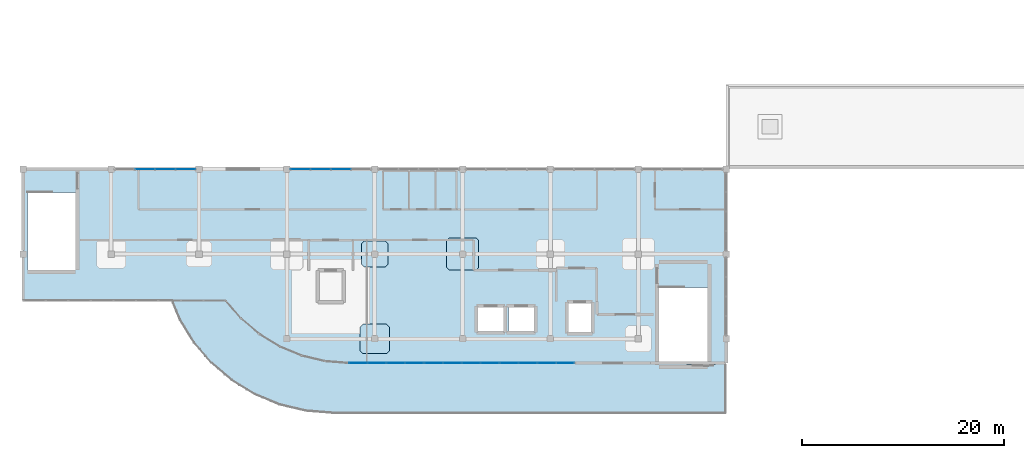
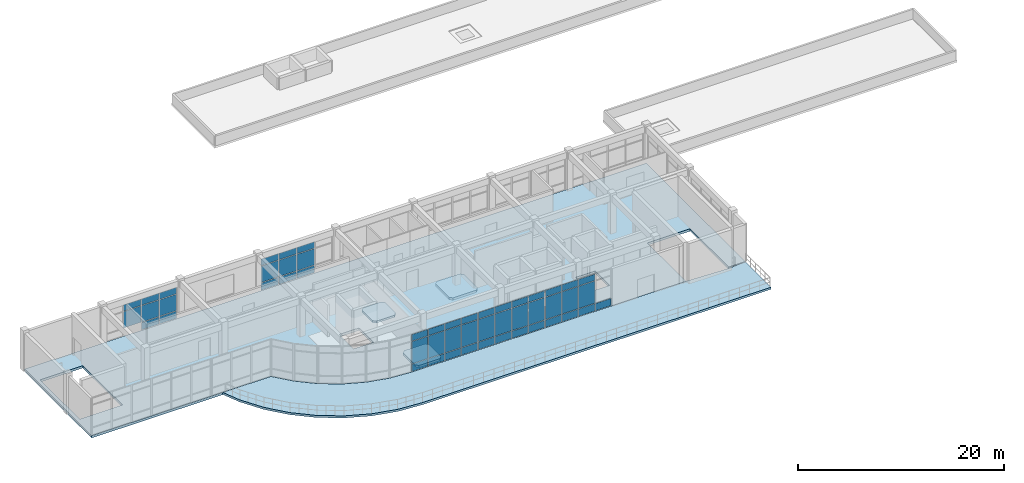
# One storey, part 32 of 41: 51 plates, 5 slabs, 5 elements without a shape of their own.
"""IFC4 building model written with IfcOpenShell, lengths in metres."""

from ifc_helpers import new_model, si_unit, derived_unit, direction, frame, origin, origin_2d, place, context, subcontext, project, spatial, polyline, rectangle, outline, extrude, material, layer, layer_set, type_object, element, aggregate, save


model = new_model("IFC4")

# Units and contexts
model_context = context("Model", 3, precision=1e-05, world=origin(), true_north=direction((0.0, 1.0)))
body_context = subcontext(model_context, "Body", "Model", "MODEL_VIEW")
ifc_project = project(units=[si_unit("LENGTHUNIT", "METRE"), si_unit("AREAUNIT", "SQUARE_METRE"), si_unit("VOLUMEUNIT", "CUBIC_METRE"), si_unit("PLANEANGLEUNIT", "RADIAN"), si_unit("MASSUNIT", "GRAM", prefix="KILO"), derived_unit("THERMALTRANSMITTANCEUNIT", [(si_unit("MASSUNIT", "GRAM", prefix="KILO"), 1), (si_unit("TIMEUNIT", "SECOND"), -3), (si_unit("THERMODYNAMICTEMPERATUREUNIT", "KELVIN"), -1)])], contexts=[model_context])

# Site, building, storey
site_placement = place(None, origin())
site = spatial("IfcSite", under=ifc_project, at=site_placement, CompositionType="ELEMENT")
building_placement = place(site_placement, origin())
building = spatial("IfcBuilding", under=site, at=building_placement, Name="Qinzheling Arcade Emporium", CompositionType="ELEMENT")
storey_placement = place(building_placement, frame((0.0, 0.0, 36.300048828125)))
storey = spatial("IfcBuildingStorey", under=building, at=storey_placement, Name="L08", CompositionType="ELEMENT", Elevation=36.300048828125)

# Slabs
ifc_material_1 = material(Name="Concrete C40", Category="concrete")
ifc_layer_1 = layer(ifc_material_1, 0.235107421875, Name="Concrete C40", Category="concrete")
ifc_layer_set_1 = layer_set([ifc_layer_1], Name="Concrete C40")
slab_type_1 = type_object("IfcSlabType", Name="Column Head Drop Panel 2600x2600x235 C40", PredefinedType="USERDEFINED", material=ifc_layer_set_1)
slab_1_placement = place(storey_placement, frame((0.0, 0.0, -0.51513671875)))
element("IfcSlab", 1, at=slab_1_placement, inside=storey, type_object=slab_type_1, Name="Column Drop Panel DP-L08-5-E", ObjectType="DROP_PANEL", PredefinedType="USERDEFINED", context=body_context, shape_type="SweptSolid", body=[
    extrude(outline(polyline([(33.780029296875, 32.300048828125), (35.820068359375, 32.300048828125), (36.10009765625, 32.580078125), (36.10009765625, 34.6201171875), (35.820068359375, 34.89990234375), (33.780029296875, 34.89990234375), (33.5, 34.6201171875), (33.5, 32.580078125), (33.780029296875, 32.300048828125)])), origin(), (0.0, 0.0, 1.0), 0.235107421875),
])
ifc_layer_2 = layer(ifc_material_1, 0.27001953125, Name="Concrete C40", Category="concrete")
ifc_layer_set_2 = layer_set([ifc_layer_2], Name="Concrete C40")
slab_type_2 = type_object("IfcSlabType", Name="Column Head Drop Panel 2900x2900x270 C40", PredefinedType="USERDEFINED", material=ifc_layer_set_2)
slab_2_placement = place(storey_placement, frame((0.0, 0.0, -0.550048828125)))
element("IfcSlab", 2, at=slab_2_placement, inside=storey, type_object=slab_type_2, Name="Column Drop Panel DP-L08-5-D", ObjectType="DROP_PANEL", PredefinedType="USERDEFINED", context=body_context, shape_type="SweptSolid", body=[
    extrude(outline(polyline([(33.6298828125, 23.75), (35.969970703125, 23.75), (36.25, 24.030029296875), (36.25, 26.3701171875), (35.969970703125, 26.64990234375), (33.6298828125, 26.64990234375), (33.35009765625, 26.3701171875), (33.35009765625, 24.030029296875), (33.6298828125, 23.75)])), origin(), (0.0, 0.0, 1.0), 0.27001953125),
])
ifc_layer_3 = layer(ifc_material_1, 0.300048828125, Name="Concrete C40", Category="concrete")
ifc_layer_set_3 = layer_set([ifc_layer_3], Name="Concrete C40")
slab_type_3 = type_object("IfcSlabType", Name="Column Head Drop Panel 3200x3200x300 C40", PredefinedType="USERDEFINED", material=ifc_layer_set_3)
slab_3_placement = place(storey_placement, frame((0.0, 0.0, -0.580078125)))
element("IfcSlab", 3, at=slab_3_placement, inside=storey, type_object=slab_type_3, Name="Column Drop Panel DP-L08-6-E", ObjectType="DROP_PANEL", PredefinedType="USERDEFINED", context=body_context, shape_type="SweptSolid", body=[
    extrude(outline(polyline([(42.179931640625, 32.0), (44.820068359375, 32.0), (45.10009765625, 32.280029296875), (45.10009765625, 34.919921875), (44.820068359375, 35.199951171875), (42.179931640625, 35.199951171875), (41.89990234375, 34.919921875), (41.89990234375, 32.280029296875), (42.179931640625, 32.0)])), origin(), (0.0, 0.0, 1.0), 0.300048828125),
])

# Curtain wall, plates
ifc_material_2 = material(Name="Anodised aluminium and solar-control double glazing", Category="aluminium")
ifc_layer_4 = layer(ifc_material_2, 0.159912109375, Name="Anodised aluminium and solar-control double glazing", Category="aluminium")
ifc_layer_set_4 = layer_set([ifc_layer_4], Name="Anodised aluminium and solar-control double glazing")
curtain_wall_type_1 = type_object("IfcCurtainWallType", Name="Atrium Clerestory Curtain Wall", PredefinedType="NOTDEFINED", material=ifc_layer_set_4)
curtain_wall_1_placement = place(storey_placement, origin())
curtain_wall_1 = element("IfcCurtainWall", 4, at=curtain_wall_1_placement, inside=storey, type_object=curtain_wall_type_1, Name="Curtain Wall CW-L08-462", PredefinedType="NOTDEFINED")
ifc_material_3 = material(Name="Laminated solar-control double glazing", Category="glass")
ifc_layer_5 = layer(ifc_material_3, 0.027099609375, Name="Laminated solar-control double glazing", Category="glass")
ifc_layer_set_5 = layer_set([ifc_layer_5], Name="Laminated solar-control double glazing")
plate_type_1 = type_object("IfcPlateType", Name="Low-E Double Glazed Curtain Panel 27mm", PredefinedType="CURTAIN_PANEL", material=ifc_layer_set_5)
plate_1_placement = place(storey_placement, frame((12.044189453125, 42.0, 0.97998046875), z_axis=(0.0, 0.0, 1.0), x_axis=(1.0, 0.0, 0.0)))
plate_1 = element("IfcPlate", 5, at=plate_1_placement, type_object=plate_type_1, Name="CW03 panel 2.2", PredefinedType="CURTAIN_PANEL", context=body_context, shape_type="SweptSolid", body=[
    extrude(rectangle(XDim=1.951416015625, YDim=0.027099609375, at=origin_2d()), origin(), (0.0, 0.0, 1.0), 1.93505859375),
])
plate_2_placement = place(storey_placement, frame((12.044189453125, 42.0, 2.97509765625), z_axis=(0.0, 0.0, 1.0), x_axis=(1.0, 0.0, 0.0)))
plate_2 = element("IfcPlate", 6, at=plate_2_placement, type_object=plate_type_1, Name="CW03 panel 2.3", PredefinedType="CURTAIN_PANEL", context=body_context, shape_type="SweptSolid", body=[
    extrude(rectangle(XDim=1.951416015625, YDim=0.027099609375, at=origin_2d()), origin(), (0.0, 0.0, 1.0), 0.760009765625),
])
plate_3_placement = place(storey_placement, frame((14.0556640625, 42.0, 0.06005859375), z_axis=(0.0, 0.0, 1.0), x_axis=(1.0, 0.0, 0.0)))
plate_3 = element("IfcPlate", 7, at=plate_3_placement, type_object=plate_type_1, Name="CW03 panel 3.1", PredefinedType="CURTAIN_PANEL", context=body_context, shape_type="SweptSolid", body=[
    extrude(rectangle(XDim=1.951416015625, YDim=0.027099609375, at=origin_2d()), origin(), (0.0, 0.0, 1.0), 0.860107421875),
])
plate_4_placement = place(storey_placement, frame((14.0556640625, 42.0, 0.97998046875), z_axis=(0.0, 0.0, 1.0), x_axis=(1.0, 0.0, 0.0)))
plate_4 = element("IfcPlate", 8, at=plate_4_placement, type_object=plate_type_1, Name="CW03 panel 3.2", PredefinedType="CURTAIN_PANEL", context=body_context, shape_type="SweptSolid", body=[
    extrude(rectangle(XDim=1.951416015625, YDim=0.027099609375, at=origin_2d()), origin(), (0.0, 0.0, 1.0), 1.93505859375),
])
plate_5_placement = place(storey_placement, frame((14.0556640625, 42.0, 2.97509765625), z_axis=(0.0, 0.0, 1.0), x_axis=(1.0, 0.0, 0.0)))
plate_5 = element("IfcPlate", 9, at=plate_5_placement, type_object=plate_type_1, Name="CW03 panel 3.3", PredefinedType="CURTAIN_PANEL", context=body_context, shape_type="SweptSolid", body=[
    extrude(rectangle(XDim=1.951416015625, YDim=0.027099609375, at=origin_2d()), origin(), (0.0, 0.0, 1.0), 0.760009765625),
])
plate_6_placement = place(storey_placement, frame((16.05224609375, 42.0, 0.06005859375), z_axis=(0.0, 0.0, 1.0), x_axis=(1.0, 0.0, 0.0)))
plate_6 = element("IfcPlate", 10, at=plate_6_placement, type_object=plate_type_1, Name="CW03 panel 4.1", PredefinedType="CURTAIN_PANEL", context=body_context, shape_type="SweptSolid", body=[
    extrude(rectangle(XDim=1.92138671875, YDim=0.027099609375, at=origin_2d()), origin(), (0.0, 0.0, 1.0), 0.860107421875),
])
plate_7_placement = place(storey_placement, frame((16.05224609375, 42.0, 0.97998046875), z_axis=(0.0, 0.0, 1.0), x_axis=(1.0, 0.0, 0.0)))
plate_7 = element("IfcPlate", 11, at=plate_7_placement, type_object=plate_type_1, Name="CW03 panel 4.2", PredefinedType="CURTAIN_PANEL", context=body_context, shape_type="SweptSolid", body=[
    extrude(rectangle(XDim=1.92138671875, YDim=0.027099609375, at=origin_2d()), origin(), (0.0, 0.0, 1.0), 1.93505859375),
])
plate_8_placement = place(storey_placement, frame((16.05224609375, 42.0, 2.97509765625), z_axis=(0.0, 0.0, 1.0), x_axis=(1.0, 0.0, 0.0)))
plate_8 = element("IfcPlate", 12, at=plate_8_placement, type_object=plate_type_1, Name="CW03 panel 4.3", PredefinedType="CURTAIN_PANEL", context=body_context, shape_type="SweptSolid", body=[
    extrude(rectangle(XDim=1.92138671875, YDim=0.027099609375, at=origin_2d()), origin(), (0.0, 0.0, 1.0), 0.760009765625),
])
aggregate(curtain_wall_1, [plate_1, plate_2, plate_3, plate_4, plate_5, plate_6, plate_7, plate_8])

curtain_wall_2_placement = place(storey_placement, origin())
curtain_wall_2 = element("IfcCurtainWall", 13, at=curtain_wall_2_placement, inside=storey, type_object=curtain_wall_type_1, Name="Curtain Wall CW-L08-463", PredefinedType="NOTDEFINED")
ifc_layer_6 = layer(ifc_material_3, 0.028076171875, Name="Laminated solar-control double glazing", Category="glass")
ifc_layer_set_6 = layer_set([ifc_layer_6], Name="Laminated solar-control double glazing")
plate_type_2 = type_object("IfcPlateType", Name="Low-E Double Glazed Curtain Panel 28mm", PredefinedType="CURTAIN_PANEL", material=ifc_layer_set_6)
plate_9_placement = place(storey_placement, frame((27.44775390625, 42.0, 0.06005859375), z_axis=(0.0, 0.0, 1.0), x_axis=(1.0, 0.0, 0.0)))
plate_9 = element("IfcPlate", 14, at=plate_9_placement, type_object=plate_type_2, Name="CW03 panel 1.1", PredefinedType="CURTAIN_PANEL", context=body_context, shape_type="SweptSolid", body=[
    extrude(rectangle(XDim=1.92138671875, YDim=0.028076171875, at=origin_2d()), origin(), (0.0, 0.0, 1.0), 0.860107421875),
])
plate_10_placement = place(storey_placement, frame((27.44775390625, 42.0, 0.97998046875), z_axis=(0.0, 0.0, 1.0), x_axis=(1.0, 0.0, 0.0)))
plate_10 = element("IfcPlate", 15, at=plate_10_placement, type_object=plate_type_2, Name="CW03 panel 1.2", PredefinedType="CURTAIN_PANEL", context=body_context, shape_type="SweptSolid", body=[
    extrude(rectangle(XDim=1.92138671875, YDim=0.028076171875, at=origin_2d()), origin(), (0.0, 0.0, 1.0), 1.93505859375),
])
plate_11_placement = place(storey_placement, frame((27.44775390625, 42.0, 2.97509765625), z_axis=(0.0, 0.0, 1.0), x_axis=(1.0, 0.0, 0.0)))
plate_11 = element("IfcPlate", 16, at=plate_11_placement, type_object=plate_type_2, Name="CW03 panel 1.3", PredefinedType="CURTAIN_PANEL", context=body_context, shape_type="SweptSolid", body=[
    extrude(rectangle(XDim=1.92138671875, YDim=0.028076171875, at=origin_2d()), origin(), (0.0, 0.0, 1.0), 0.760009765625),
])
plate_12_placement = place(storey_placement, frame((29.4443359375, 42.0, 0.06005859375), z_axis=(0.0, 0.0, 1.0), x_axis=(1.0, 0.0, 0.0)))
plate_12 = element("IfcPlate", 17, at=plate_12_placement, type_object=plate_type_2, Name="CW03 panel 2.1", PredefinedType="CURTAIN_PANEL", context=body_context, shape_type="SweptSolid", body=[
    extrude(rectangle(XDim=1.951416015625, YDim=0.028076171875, at=origin_2d()), origin(), (0.0, 0.0, 1.0), 0.860107421875),
])
plate_13_placement = place(storey_placement, frame((29.4443359375, 42.0, 0.97998046875), z_axis=(0.0, 0.0, 1.0), x_axis=(1.0, 0.0, 0.0)))
plate_13 = element("IfcPlate", 18, at=plate_13_placement, type_object=plate_type_2, Name="CW03 panel 2.2", PredefinedType="CURTAIN_PANEL", context=body_context, shape_type="SweptSolid", body=[
    extrude(rectangle(XDim=1.951416015625, YDim=0.028076171875, at=origin_2d()), origin(), (0.0, 0.0, 1.0), 1.93505859375),
])
plate_14_placement = place(storey_placement, frame((29.4443359375, 42.0, 2.97509765625), z_axis=(0.0, 0.0, 1.0), x_axis=(1.0, 0.0, 0.0)))
plate_14 = element("IfcPlate", 19, at=plate_14_placement, type_object=plate_type_2, Name="CW03 panel 2.3", PredefinedType="CURTAIN_PANEL", context=body_context, shape_type="SweptSolid", body=[
    extrude(rectangle(XDim=1.951416015625, YDim=0.028076171875, at=origin_2d()), origin(), (0.0, 0.0, 1.0), 0.760009765625),
])
plate_15_placement = place(storey_placement, frame((31.455810546875, 42.0, 0.06005859375), z_axis=(0.0, 0.0, 1.0), x_axis=(1.0, 0.0, 0.0)))
plate_15 = element("IfcPlate", 20, at=plate_15_placement, type_object=plate_type_2, Name="CW03 panel 3.1", PredefinedType="CURTAIN_PANEL", context=body_context, shape_type="SweptSolid", body=[
    extrude(rectangle(XDim=1.951416015625, YDim=0.028076171875, at=origin_2d()), origin(), (0.0, 0.0, 1.0), 0.860107421875),
])
plate_16_placement = place(storey_placement, frame((31.455810546875, 42.0, 0.97998046875), z_axis=(0.0, 0.0, 1.0), x_axis=(1.0, 0.0, 0.0)))
plate_16 = element("IfcPlate", 21, at=plate_16_placement, type_object=plate_type_2, Name="CW03 panel 3.2", PredefinedType="CURTAIN_PANEL", context=body_context, shape_type="SweptSolid", body=[
    extrude(rectangle(XDim=1.951416015625, YDim=0.028076171875, at=origin_2d()), origin(), (0.0, 0.0, 1.0), 1.93505859375),
])
plate_17_placement = place(storey_placement, frame((31.455810546875, 42.0, 2.97509765625), z_axis=(0.0, 0.0, 1.0), x_axis=(1.0, 0.0, 0.0)))
plate_17 = element("IfcPlate", 22, at=plate_17_placement, type_object=plate_type_2, Name="CW03 panel 3.3", PredefinedType="CURTAIN_PANEL", context=body_context, shape_type="SweptSolid", body=[
    extrude(rectangle(XDim=1.951416015625, YDim=0.028076171875, at=origin_2d()), origin(), (0.0, 0.0, 1.0), 0.760009765625),
])
aggregate(curtain_wall_2, [plate_9, plate_10, plate_11, plate_12, plate_13, plate_14, plate_15, plate_16, plate_17])

ifc_layer_7 = layer(ifc_material_2, 0.159912109375, Name="Anodised aluminium and solar-control double glazing", Category="aluminium")
ifc_layer_set_7 = layer_set([ifc_layer_7], Name="Anodised aluminium and solar-control double glazing")
curtain_wall_type_2 = type_object("IfcCurtainWallType", Name="Arcade Portal Glazed Curtain Wall", PredefinedType="NOTDEFINED", material=ifc_layer_set_7)
curtain_wall_3_placement = place(storey_placement, origin())
curtain_wall_3 = element("IfcCurtainWall", 23, at=curtain_wall_3_placement, inside=storey, type_object=curtain_wall_type_2, Name="Curtain Wall CW-L08-450", PredefinedType="NOTDEFINED")
ifc_layer_8 = layer(ifc_material_3, 0.031005859375, Name="Laminated solar-control double glazing", Category="glass")
ifc_layer_set_8 = layer_set([ifc_layer_8], Name="Laminated solar-control double glazing")
plate_type_3 = type_object("IfcPlateType", Name="Low-E Double Glazed Curtain Panel 31mm", PredefinedType="CURTAIN_PANEL", material=ifc_layer_set_8)
plate_18_placement = place(storey_placement, frame((53.6884765625, 22.800048828125, 0.06005859375), z_axis=(0.0, 0.0, 1.0), x_axis=(-1.0, 0.0, 0.0)))
plate_18 = element("IfcPlate", 24, at=plate_18_placement, type_object=plate_type_3, Name="CW05 panel 1.1", PredefinedType="CURTAIN_PANEL", context=body_context, shape_type="SweptSolid", body=[
    extrude(rectangle(XDim=1.779052734375, YDim=0.031005859375, at=origin_2d()), origin(), (0.0, 0.0, 1.0), 0.860107421875),
])
plate_19_placement = place(storey_placement, frame((51.83447265625, 22.800048828125, 0.06005859375), z_axis=(0.0, 0.0, 1.0), x_axis=(-1.0, 0.0, 0.0)))
plate_19 = element("IfcPlate", 25, at=plate_19_placement, type_object=plate_type_3, Name="CW05 panel 2.1", PredefinedType="CURTAIN_PANEL", context=body_context, shape_type="SweptSolid", body=[
    extrude(rectangle(XDim=1.80908203125, YDim=0.031005859375, at=origin_2d()), origin(), (0.0, 0.0, 1.0), 0.860107421875),
])
plate_20_placement = place(storey_placement, frame((51.83447265625, 22.800048828125, 0.97998046875), z_axis=(0.0, 0.0, 1.0), x_axis=(-1.0, 0.0, 0.0)))
plate_20 = element("IfcPlate", 26, at=plate_20_placement, type_object=plate_type_3, Name="CW05 panel 2.2", PredefinedType="CURTAIN_PANEL", context=body_context, shape_type="SweptSolid", body=[
    extrude(rectangle(XDim=1.80908203125, YDim=0.031005859375, at=origin_2d()), origin(), (0.0, 0.0, 1.0), 2.6298828125),
])
plate_21_placement = place(storey_placement, frame((51.83447265625, 22.800048828125, 3.669921875), z_axis=(0.0, 0.0, 1.0), x_axis=(-1.0, 0.0, 0.0)))
plate_21 = element("IfcPlate", 27, at=plate_21_placement, type_object=plate_type_3, Name="CW05 panel 2.3", PredefinedType="CURTAIN_PANEL", context=body_context, shape_type="SweptSolid", body=[
    extrude(rectangle(XDim=1.80908203125, YDim=0.031005859375, at=origin_2d()), origin(), (0.0, 0.0, 1.0), 0.760009765625),
])
plate_22_placement = place(storey_placement, frame((49.965576171875, 22.800048828125, 0.06005859375), z_axis=(0.0, 0.0, 1.0), x_axis=(-1.0, 0.0, 0.0)))
plate_22 = element("IfcPlate", 28, at=plate_22_placement, type_object=plate_type_3, Name="CW05 panel 3.1", PredefinedType="CURTAIN_PANEL", context=body_context, shape_type="SweptSolid", body=[
    extrude(rectangle(XDim=1.80908203125, YDim=0.031005859375, at=origin_2d()), origin(), (0.0, 0.0, 1.0), 0.860107421875),
])
plate_23_placement = place(storey_placement, frame((49.965576171875, 22.800048828125, 0.97998046875), z_axis=(0.0, 0.0, 1.0), x_axis=(-1.0, 0.0, 0.0)))
plate_23 = element("IfcPlate", 29, at=plate_23_placement, type_object=plate_type_3, Name="CW05 panel 3.2", PredefinedType="CURTAIN_PANEL", context=body_context, shape_type="SweptSolid", body=[
    extrude(rectangle(XDim=1.80908203125, YDim=0.031005859375, at=origin_2d()), origin(), (0.0, 0.0, 1.0), 2.6298828125),
])
plate_24_placement = place(storey_placement, frame((49.965576171875, 22.800048828125, 3.669921875), z_axis=(0.0, 0.0, 1.0), x_axis=(-1.0, 0.0, 0.0)))
plate_24 = element("IfcPlate", 30, at=plate_24_placement, type_object=plate_type_3, Name="CW05 panel 3.3", PredefinedType="CURTAIN_PANEL", context=body_context, shape_type="SweptSolid", body=[
    extrude(rectangle(XDim=1.80908203125, YDim=0.031005859375, at=origin_2d()), origin(), (0.0, 0.0, 1.0), 0.760009765625),
])
plate_25_placement = place(storey_placement, frame((48.111572265625, 22.800048828125, 0.06005859375), z_axis=(0.0, 0.0, 1.0), x_axis=(-1.0, 0.0, 0.0)))
plate_25 = element("IfcPlate", 31, at=plate_25_placement, type_object=plate_type_3, Name="CW05 panel 4.1", PredefinedType="CURTAIN_PANEL", context=body_context, shape_type="SweptSolid", body=[
    extrude(rectangle(XDim=1.779052734375, YDim=0.031005859375, at=origin_2d()), origin(), (0.0, 0.0, 1.0), 0.860107421875),
])
plate_26_placement = place(storey_placement, frame((48.111572265625, 22.800048828125, 0.97998046875), z_axis=(0.0, 0.0, 1.0), x_axis=(-1.0, 0.0, 0.0)))
plate_26 = element("IfcPlate", 32, at=plate_26_placement, type_object=plate_type_3, Name="CW05 panel 4.2", PredefinedType="CURTAIN_PANEL", context=body_context, shape_type="SweptSolid", body=[
    extrude(rectangle(XDim=1.779052734375, YDim=0.031005859375, at=origin_2d()), origin(), (0.0, 0.0, 1.0), 2.6298828125),
])
plate_27_placement = place(storey_placement, frame((48.111572265625, 22.800048828125, 3.669921875), z_axis=(0.0, 0.0, 1.0), x_axis=(-1.0, 0.0, 0.0)))
plate_27 = element("IfcPlate", 33, at=plate_27_placement, type_object=plate_type_3, Name="CW05 panel 4.3", PredefinedType="CURTAIN_PANEL", context=body_context, shape_type="SweptSolid", body=[
    extrude(rectangle(XDim=1.779052734375, YDim=0.031005859375, at=origin_2d()), origin(), (0.0, 0.0, 1.0), 0.760009765625),
])
aggregate(curtain_wall_3, [plate_18, plate_19, plate_20, plate_21, plate_22, plate_23, plate_24, plate_25, plate_26, plate_27])

curtain_wall_4_placement = place(storey_placement, origin())
curtain_wall_4 = element("IfcCurtainWall", 34, at=curtain_wall_4_placement, inside=storey, type_object=curtain_wall_type_2, Name="Curtain Wall CW-L08-451", PredefinedType="NOTDEFINED")
ifc_layer_9 = layer(ifc_material_3, 0.031982421875, Name="Laminated solar-control double glazing", Category="glass")
ifc_layer_set_9 = layer_set([ifc_layer_9], Name="Laminated solar-control double glazing")
plate_type_4 = type_object("IfcPlateType", Name="Low-E Double Glazed Curtain Panel 32mm", PredefinedType="CURTAIN_PANEL", material=ifc_layer_set_9)
plate_28_placement = place(storey_placement, frame((46.20849609375, 22.800048828125, 0.06005859375), z_axis=(0.0, 0.0, 1.0), x_axis=(-1.0, 0.0, 0.0)))
plate_28 = element("IfcPlate", 35, at=plate_28_placement, type_object=plate_type_4, Name="CW05 panel 1.1", PredefinedType="CURTAIN_PANEL", context=body_context, shape_type="SweptSolid", body=[
    extrude(rectangle(XDim=1.779052734375, YDim=0.031982421875, at=origin_2d()), origin(), (0.0, 0.0, 1.0), 0.860107421875),
])
plate_29_placement = place(storey_placement, frame((46.20849609375, 22.800048828125, 0.97998046875), z_axis=(0.0, 0.0, 1.0), x_axis=(-1.0, 0.0, 0.0)))
plate_29 = element("IfcPlate", 36, at=plate_29_placement, type_object=plate_type_4, Name="CW05 panel 1.2", PredefinedType="CURTAIN_PANEL", context=body_context, shape_type="SweptSolid", body=[
    extrude(rectangle(XDim=1.779052734375, YDim=0.031982421875, at=origin_2d()), origin(), (0.0, 0.0, 1.0), 2.6298828125),
])
plate_30_placement = place(storey_placement, frame((46.20849609375, 22.800048828125, 3.669921875), z_axis=(0.0, 0.0, 1.0), x_axis=(-1.0, 0.0, 0.0)))
plate_30 = element("IfcPlate", 37, at=plate_30_placement, type_object=plate_type_4, Name="CW05 panel 1.3", PredefinedType="CURTAIN_PANEL", context=body_context, shape_type="SweptSolid", body=[
    extrude(rectangle(XDim=1.779052734375, YDim=0.031982421875, at=origin_2d()), origin(), (0.0, 0.0, 1.0), 0.760009765625),
])
plate_31_placement = place(storey_placement, frame((44.3544921875, 22.800048828125, 0.06005859375), z_axis=(0.0, 0.0, 1.0), x_axis=(-1.0, 0.0, 0.0)))
plate_31 = element("IfcPlate", 38, at=plate_31_placement, type_object=plate_type_4, Name="CW05 panel 2.1", PredefinedType="CURTAIN_PANEL", context=body_context, shape_type="SweptSolid", body=[
    extrude(rectangle(XDim=1.80908203125, YDim=0.031982421875, at=origin_2d()), origin(), (0.0, 0.0, 1.0), 0.860107421875),
])
plate_32_placement = place(storey_placement, frame((44.3544921875, 22.800048828125, 0.97998046875), z_axis=(0.0, 0.0, 1.0), x_axis=(-1.0, 0.0, 0.0)))
plate_32 = element("IfcPlate", 39, at=plate_32_placement, type_object=plate_type_4, Name="CW05 panel 2.2", PredefinedType="CURTAIN_PANEL", context=body_context, shape_type="SweptSolid", body=[
    extrude(rectangle(XDim=1.80908203125, YDim=0.031982421875, at=origin_2d()), origin(), (0.0, 0.0, 1.0), 2.6298828125),
])
plate_33_placement = place(storey_placement, frame((44.3544921875, 22.800048828125, 3.669921875), z_axis=(0.0, 0.0, 1.0), x_axis=(-1.0, 0.0, 0.0)))
plate_33 = element("IfcPlate", 40, at=plate_33_placement, type_object=plate_type_4, Name="CW05 panel 2.3", PredefinedType="CURTAIN_PANEL", context=body_context, shape_type="SweptSolid", body=[
    extrude(rectangle(XDim=1.80908203125, YDim=0.031982421875, at=origin_2d()), origin(), (0.0, 0.0, 1.0), 0.760009765625),
])
plate_34_placement = place(storey_placement, frame((42.485595703125, 22.800048828125, 0.06005859375), z_axis=(0.0, 0.0, 1.0), x_axis=(-1.0, 0.0, 0.0)))
plate_34 = element("IfcPlate", 41, at=plate_34_placement, type_object=plate_type_4, Name="CW05 panel 3.1", PredefinedType="CURTAIN_PANEL", context=body_context, shape_type="SweptSolid", body=[
    extrude(rectangle(XDim=1.80908203125, YDim=0.031982421875, at=origin_2d()), origin(), (0.0, 0.0, 1.0), 0.860107421875),
])
plate_35_placement = place(storey_placement, frame((42.485595703125, 22.800048828125, 0.97998046875), z_axis=(0.0, 0.0, 1.0), x_axis=(-1.0, 0.0, 0.0)))
plate_35 = element("IfcPlate", 42, at=plate_35_placement, type_object=plate_type_4, Name="CW05 panel 3.2", PredefinedType="CURTAIN_PANEL", context=body_context, shape_type="SweptSolid", body=[
    extrude(rectangle(XDim=1.80908203125, YDim=0.031982421875, at=origin_2d()), origin(), (0.0, 0.0, 1.0), 2.6298828125),
])
plate_36_placement = place(storey_placement, frame((42.485595703125, 22.800048828125, 3.669921875), z_axis=(0.0, 0.0, 1.0), x_axis=(-1.0, 0.0, 0.0)))
plate_36 = element("IfcPlate", 43, at=plate_36_placement, type_object=plate_type_4, Name="CW05 panel 3.3", PredefinedType="CURTAIN_PANEL", context=body_context, shape_type="SweptSolid", body=[
    extrude(rectangle(XDim=1.80908203125, YDim=0.031982421875, at=origin_2d()), origin(), (0.0, 0.0, 1.0), 0.760009765625),
])
plate_37_placement = place(storey_placement, frame((40.631591796875, 22.800048828125, 0.06005859375), z_axis=(0.0, 0.0, 1.0), x_axis=(-1.0, 0.0, 0.0)))
plate_37 = element("IfcPlate", 44, at=plate_37_placement, type_object=plate_type_4, Name="CW05 panel 4.1", PredefinedType="CURTAIN_PANEL", context=body_context, shape_type="SweptSolid", body=[
    extrude(rectangle(XDim=1.779052734375, YDim=0.031982421875, at=origin_2d()), origin(), (0.0, 0.0, 1.0), 0.860107421875),
])
plate_38_placement = place(storey_placement, frame((40.631591796875, 22.800048828125, 0.97998046875), z_axis=(0.0, 0.0, 1.0), x_axis=(-1.0, 0.0, 0.0)))
plate_38 = element("IfcPlate", 45, at=plate_38_placement, type_object=plate_type_4, Name="CW05 panel 4.2", PredefinedType="CURTAIN_PANEL", context=body_context, shape_type="SweptSolid", body=[
    extrude(rectangle(XDim=1.779052734375, YDim=0.031982421875, at=origin_2d()), origin(), (0.0, 0.0, 1.0), 2.6298828125),
])
plate_39_placement = place(storey_placement, frame((40.631591796875, 22.800048828125, 3.669921875), z_axis=(0.0, 0.0, 1.0), x_axis=(-1.0, 0.0, 0.0)))
plate_39 = element("IfcPlate", 46, at=plate_39_placement, type_object=plate_type_4, Name="CW05 panel 4.3", PredefinedType="CURTAIN_PANEL", context=body_context, shape_type="SweptSolid", body=[
    extrude(rectangle(XDim=1.779052734375, YDim=0.031982421875, at=origin_2d()), origin(), (0.0, 0.0, 1.0), 0.760009765625),
])
aggregate(curtain_wall_4, [plate_28, plate_29, plate_30, plate_31, plate_32, plate_33, plate_34, plate_35, plate_36, plate_37, plate_38, plate_39])

curtain_wall_5_placement = place(storey_placement, origin())
curtain_wall_5 = element("IfcCurtainWall", 47, at=curtain_wall_5_placement, inside=storey, type_object=curtain_wall_type_2, Name="Curtain Wall CW-L08-452", PredefinedType="NOTDEFINED")
ifc_layer_10 = layer(ifc_material_3, 0.033935546875, Name="Laminated solar-control double glazing", Category="glass")
ifc_layer_set_10 = layer_set([ifc_layer_10], Name="Laminated solar-control double glazing")
plate_type_5 = type_object("IfcPlateType", Name="Low-E Double Glazed Curtain Panel 34mm", PredefinedType="CURTAIN_PANEL", material=ifc_layer_set_10)
plate_40_placement = place(storey_placement, frame((38.728271484375, 22.800048828125, 0.06005859375), z_axis=(0.0, 0.0, 1.0), x_axis=(-1.0, 0.0, 0.0)))
plate_40 = element("IfcPlate", 48, at=plate_40_placement, type_object=plate_type_5, Name="CW05 panel 1.1", PredefinedType="CURTAIN_PANEL", context=body_context, shape_type="SweptSolid", body=[
    extrude(rectangle(XDim=1.779541015625, YDim=0.033935546875, at=origin_2d()), origin(), (0.0, 0.0, 1.0), 0.860107421875),
])
plate_41_placement = place(storey_placement, frame((38.728271484375, 22.800048828125, 0.97998046875), z_axis=(0.0, 0.0, 1.0), x_axis=(-1.0, 0.0, 0.0)))
plate_41 = element("IfcPlate", 49, at=plate_41_placement, type_object=plate_type_5, Name="CW05 panel 1.2", PredefinedType="CURTAIN_PANEL", context=body_context, shape_type="SweptSolid", body=[
    extrude(rectangle(XDim=1.779541015625, YDim=0.033935546875, at=origin_2d()), origin(), (0.0, 0.0, 1.0), 2.6298828125),
])
plate_42_placement = place(storey_placement, frame((38.728271484375, 22.800048828125, 3.669921875), z_axis=(0.0, 0.0, 1.0), x_axis=(-1.0, 0.0, 0.0)))
plate_42 = element("IfcPlate", 50, at=plate_42_placement, type_object=plate_type_5, Name="CW05 panel 1.3", PredefinedType="CURTAIN_PANEL", context=body_context, shape_type="SweptSolid", body=[
    extrude(rectangle(XDim=1.779541015625, YDim=0.033935546875, at=origin_2d()), origin(), (0.0, 0.0, 1.0), 0.760009765625),
])
plate_43_placement = place(storey_placement, frame((36.873779296875, 22.800048828125, 0.06005859375), z_axis=(0.0, 0.0, 1.0), x_axis=(-1.0, 0.0, 0.0)))
plate_43 = element("IfcPlate", 51, at=plate_43_placement, type_object=plate_type_5, Name="CW05 panel 2.1", PredefinedType="CURTAIN_PANEL", context=body_context, shape_type="SweptSolid", body=[
    extrude(rectangle(XDim=1.8095703125, YDim=0.033935546875, at=origin_2d()), origin(), (0.0, 0.0, 1.0), 0.860107421875),
])
plate_44_placement = place(storey_placement, frame((36.873779296875, 22.800048828125, 0.97998046875), z_axis=(0.0, 0.0, 1.0), x_axis=(-1.0, 0.0, 0.0)))
plate_44 = element("IfcPlate", 52, at=plate_44_placement, type_object=plate_type_5, Name="CW05 panel 2.2", PredefinedType="CURTAIN_PANEL", context=body_context, shape_type="SweptSolid", body=[
    extrude(rectangle(XDim=1.8095703125, YDim=0.033935546875, at=origin_2d()), origin(), (0.0, 0.0, 1.0), 2.6298828125),
])
plate_45_placement = place(storey_placement, frame((36.873779296875, 22.800048828125, 3.669921875), z_axis=(0.0, 0.0, 1.0), x_axis=(-1.0, 0.0, 0.0)))
plate_45 = element("IfcPlate", 53, at=plate_45_placement, type_object=plate_type_5, Name="CW05 panel 2.3", PredefinedType="CURTAIN_PANEL", context=body_context, shape_type="SweptSolid", body=[
    extrude(rectangle(XDim=1.8095703125, YDim=0.033935546875, at=origin_2d()), origin(), (0.0, 0.0, 1.0), 0.760009765625),
])
plate_46_placement = place(storey_placement, frame((35.004150390625, 22.800048828125, 0.06005859375), z_axis=(0.0, 0.0, 1.0), x_axis=(-1.0, 0.0, 0.0)))
plate_46 = element("IfcPlate", 54, at=plate_46_placement, type_object=plate_type_5, Name="CW05 panel 3.1", PredefinedType="CURTAIN_PANEL", context=body_context, shape_type="SweptSolid", body=[
    extrude(rectangle(XDim=1.8095703125, YDim=0.033935546875, at=origin_2d()), origin(), (0.0, 0.0, 1.0), 0.860107421875),
])
plate_47_placement = place(storey_placement, frame((35.004150390625, 22.800048828125, 0.97998046875), z_axis=(0.0, 0.0, 1.0), x_axis=(-1.0, 0.0, 0.0)))
plate_47 = element("IfcPlate", 55, at=plate_47_placement, type_object=plate_type_5, Name="CW05 panel 3.2", PredefinedType="CURTAIN_PANEL", context=body_context, shape_type="SweptSolid", body=[
    extrude(rectangle(XDim=1.8095703125, YDim=0.033935546875, at=origin_2d()), origin(), (0.0, 0.0, 1.0), 2.6298828125),
])
plate_48_placement = place(storey_placement, frame((35.004150390625, 22.800048828125, 3.669921875), z_axis=(0.0, 0.0, 1.0), x_axis=(-1.0, 0.0, 0.0)))
plate_48 = element("IfcPlate", 56, at=plate_48_placement, type_object=plate_type_5, Name="CW05 panel 3.3", PredefinedType="CURTAIN_PANEL", context=body_context, shape_type="SweptSolid", body=[
    extrude(rectangle(XDim=1.8095703125, YDim=0.033935546875, at=origin_2d()), origin(), (0.0, 0.0, 1.0), 0.760009765625),
])
plate_49_placement = place(storey_placement, frame((33.149658203125, 22.800048828125, 0.06005859375), z_axis=(0.0, 0.0, 1.0), x_axis=(-1.0, 0.0, 0.0)))
plate_49 = element("IfcPlate", 57, at=plate_49_placement, type_object=plate_type_5, Name="CW05 panel 4.1", PredefinedType="CURTAIN_PANEL", context=body_context, shape_type="SweptSolid", body=[
    extrude(rectangle(XDim=1.779541015625, YDim=0.033935546875, at=origin_2d()), origin(), (0.0, 0.0, 1.0), 0.860107421875),
])
plate_50_placement = place(storey_placement, frame((33.149658203125, 22.800048828125, 0.97998046875), z_axis=(0.0, 0.0, 1.0), x_axis=(-1.0, 0.0, 0.0)))
plate_50 = element("IfcPlate", 58, at=plate_50_placement, type_object=plate_type_5, Name="CW05 panel 4.2", PredefinedType="CURTAIN_PANEL", context=body_context, shape_type="SweptSolid", body=[
    extrude(rectangle(XDim=1.779541015625, YDim=0.033935546875, at=origin_2d()), origin(), (0.0, 0.0, 1.0), 2.6298828125),
])
plate_51_placement = place(storey_placement, frame((33.149658203125, 22.800048828125, 3.669921875), z_axis=(0.0, 0.0, 1.0), x_axis=(-1.0, 0.0, 0.0)))
plate_51 = element("IfcPlate", 59, at=plate_51_placement, type_object=plate_type_5, Name="CW05 panel 4.3", PredefinedType="CURTAIN_PANEL", context=body_context, shape_type="SweptSolid", body=[
    extrude(rectangle(XDim=1.779541015625, YDim=0.033935546875, at=origin_2d()), origin(), (0.0, 0.0, 1.0), 0.760009765625),
])
aggregate(curtain_wall_5, [plate_40, plate_41, plate_42, plate_43, plate_44, plate_45, plate_46, plate_47, plate_48, plate_49, plate_50, plate_51])

# Slabs
ifc_layer_11 = layer(ifc_material_1, 0.25, Name="Concrete C40", Category="concrete")
ifc_layer_set_11 = layer_set([ifc_layer_11], Name="Concrete C40")
slab_type_4 = type_object("IfcSlabType", Name="Outdoor Dining Terrace Slab 250 C40", PredefinedType="FLOOR", material=ifc_layer_set_11)
slab_4_placement = place(storey_placement, frame((0.0, 0.0, -0.25)))
element("IfcSlab", 60, at=slab_4_placement, inside=storey, type_object=slab_type_4, Name="Outdoor Terrace SLB-TR-V1-L08", PredefinedType="FLOOR", context=body_context, shape_type="SweptSolid", body=[
    extrude(outline(polyline([(69.60009765625, 17.800048828125), (69.60009765625, 22.800048828125), (67.739990234375, 22.60009765625), (62.949951171875, 22.800048828125), (32.199951171875, 22.800048828125), (29.85302734375, 22.985107421875), (27.56494140625, 23.533935546875), (25.389892578125, 24.43505859375), (23.383056640625, 25.6650390625), (21.593017578125, 27.193115234375), (20.06494140625, 28.98291015625), (14.6640625, 28.988037109375), (15.452880859375, 27.08203125), (16.846923828125, 24.80810546875), (18.5791015625, 22.779052734375), (20.60791015625, 21.047119140625), (22.882080078125, 19.653076171875), (25.346923828125, 18.632080078125), (27.94091796875, 18.009033203125), (30.60009765625, 17.800048828125), (69.60009765625, 17.800048828125)])), origin(), (0.0, 0.0, 1.0), 0.25),
])
ifc_layer_12 = layer(ifc_material_1, 0.280029296875, Name="Concrete C40", Category="concrete")
ifc_layer_set_12 = layer_set([ifc_layer_12], Name="Concrete C40")
slab_type_5 = type_object("IfcSlabType", Name="Retail Two-Way Flat Slab 280 C40", PredefinedType="FLOOR", material=ifc_layer_set_12)
slab_5_placement = place(storey_placement, frame((0.0, 0.0, -0.280029296875)))
element("IfcSlab", 61, at=slab_5_placement, inside=storey, type_object=slab_type_5, Name="Floor Slab SLB-L08-V1", PredefinedType="FLOOR", context=body_context, shape_type="SweptSolid", body=[
    extrude(outline(polyline([(34.800048828125, 42.0), (17.199951171875, 42.0), (0.0, 42.0), (0.0, 29.0), (20.06494140625, 28.98291015625), (21.593017578125, 27.193115234375), (23.383056640625, 25.6650390625), (25.389892578125, 24.43505859375), (27.56494140625, 23.533935546875), (29.85302734375, 22.985107421875), (32.199951171875, 22.800048828125), (62.949951171875, 22.800048828125), (62.949951171875, 30.27490234375), (67.739990234375, 30.27490234375), (67.739990234375, 22.800048828125), (69.60009765625, 22.800048828125), (69.60009765625, 42.0), (34.800048828125, 42.0)]), holes=[polyline([(56.199951171875, 28.699951171875), (56.199951171875, 25.89990234375), (54.0, 25.89990234375), (54.0, 28.699951171875), (56.199951171875, 28.699951171875)]), polyline([(50.550048828125, 28.300048828125), (50.550048828125, 26.0), (48.050048828125, 26.0), (48.050048828125, 28.300048828125), (50.550048828125, 28.300048828125)]), polyline([(47.550048828125, 28.300048828125), (47.550048828125, 26.0), (45.050048828125, 26.0), (45.050048828125, 28.300048828125), (47.550048828125, 28.300048828125)]), polyline([(31.550048828125, 31.800048828125), (31.550048828125, 29.0), (29.35009765625, 29.0), (29.35009765625, 31.800048828125), (31.550048828125, 31.800048828125)]), polyline([(5.18994140625, 39.675048828125), (5.18994140625, 32.0), (0.39990234375, 32.0), (0.39990234375, 39.675048828125), (5.18994140625, 39.675048828125)])]), origin(), (0.0, 0.0, 1.0), 0.280029296875),
])

save(model, "model.ifc")
